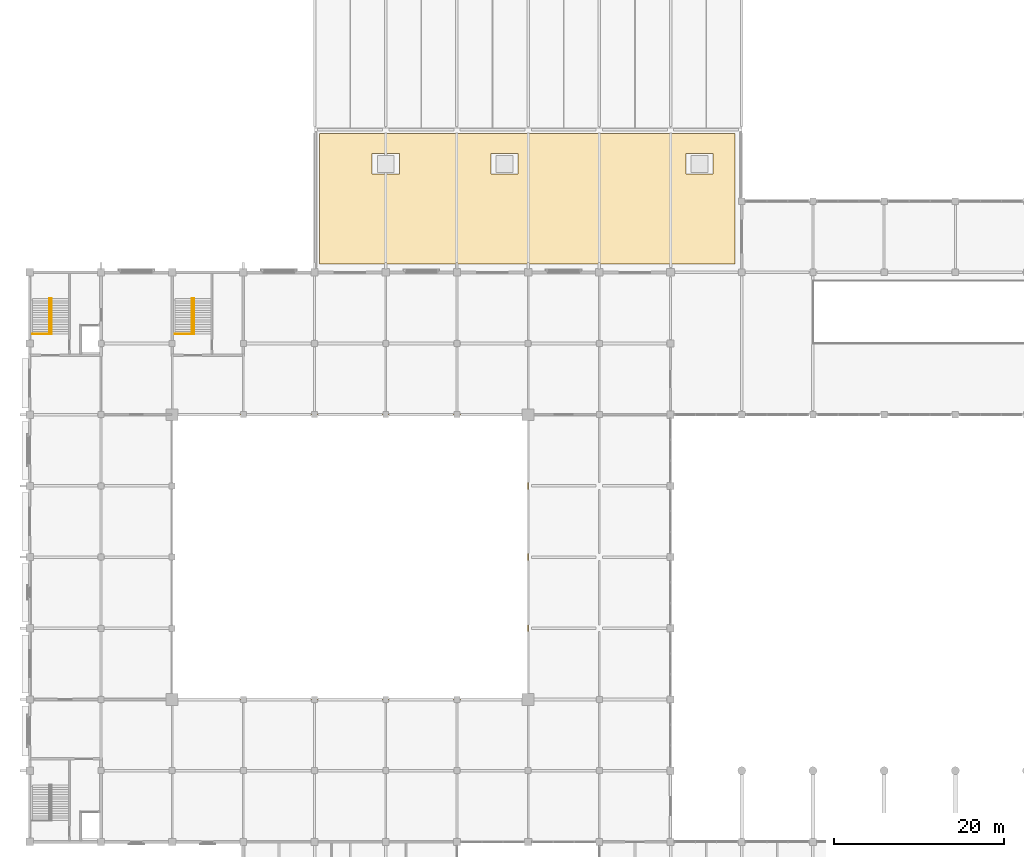
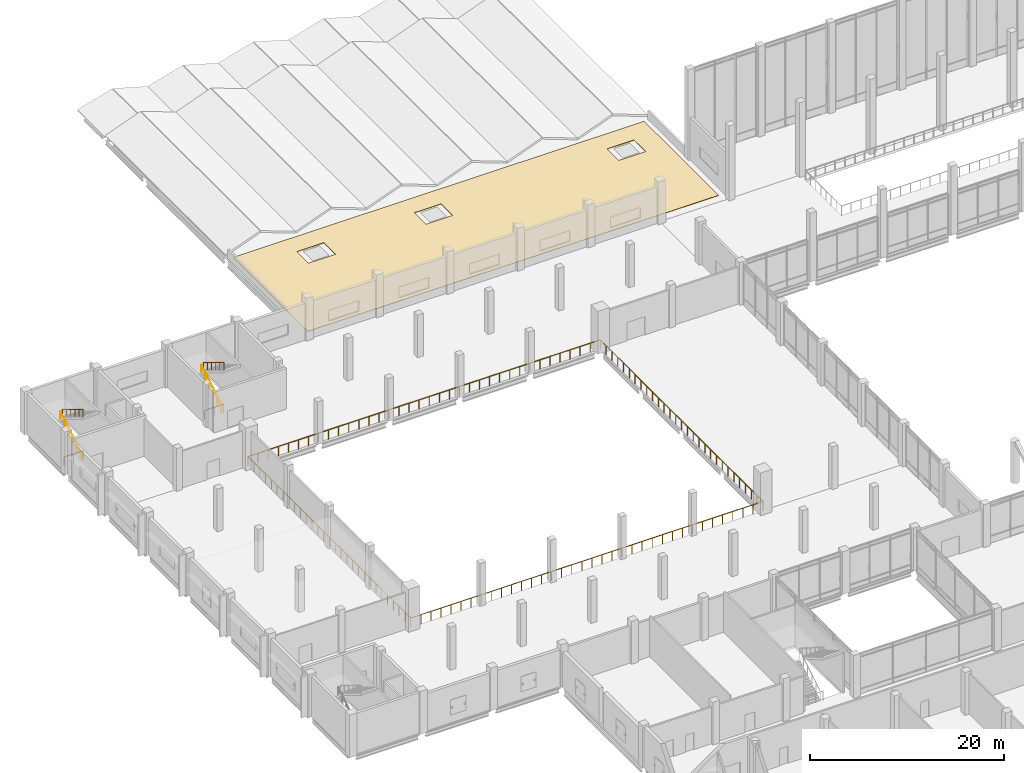
# One storey, part 70 of 72: 7 railings, 1 covering.
"""IFC4 building model written with IfcOpenShell, lengths in metres."""

from ifc_helpers import new_model, si_unit, direction, frame, origin, origin_2d, place, context, subcontext, project, spatial, polyline, circle, outline, extrude, material, layer, layer_set, type_object, element, save


model = new_model("IFC4")

# Units and contexts
model_context = context("Model", 3, precision=1e-05, world=origin(), true_north=direction((0.0, 1.0)))
body_context = subcontext(model_context, "Body", "Model", "MODEL_VIEW")
ifc_project = project(units=[si_unit("LENGTHUNIT", "METRE"), si_unit("AREAUNIT", "SQUARE_METRE"), si_unit("VOLUMEUNIT", "CUBIC_METRE"), si_unit("PLANEANGLEUNIT", "RADIAN"), si_unit("MASSUNIT", "GRAM", prefix="KILO")], contexts=[model_context])

# Site, building, storey
site_placement = place(None, origin())
site = spatial("IfcSite", under=ifc_project, at=site_placement, CompositionType="ELEMENT")
building_placement = place(site_placement, origin())
building = spatial("IfcBuilding", under=site, at=building_placement, Name="Qawsi Khor Wholesale Market", CompositionType="ELEMENT")
storey_placement = place(building_placement, frame((0.0, 0.0, 6.0)))
storey = spatial("IfcBuildingStorey", under=building, at=storey_placement, Name="L01", CompositionType="ELEMENT", Elevation=6.0)

# Covering
ifc_material_1 = material(Name="Polymer-Modified Bitumen Membrane", Category="membrane")
ifc_layer = layer(ifc_material_1, 0.050048828125, Name="Polymer-Modified Bitumen Membrane")
ifc_layer_set = layer_set([ifc_layer], Name="Polymer-Modified Bitumen Membrane")
covering_type = type_object("IfcCoveringType", Name="Elastomeric Cool-Roof Waterproofing Membrane", PredefinedType="ROOFING", material=ifc_layer_set)
covering_placement = place(storey_placement, origin())
element("IfcCovering", 1, at=covering_placement, inside=storey, type_object=covering_type, Name="Roof covering 1", PredefinedType="ROOFING", context=body_context, shape_type="SweptSolid", body=[
    extrude(outline(polyline([(34.199951171875, 125.60009765625), (83.199951171875, 125.60009765625), (83.199951171875, 110.199951171875), (34.199951171875, 110.199951171875), (34.199951171875, 125.60009765625)]), holes=[polyline([(40.39990234375, 120.800048828125), (43.60009765625, 120.800048828125), (43.60009765625, 123.199951171875), (40.39990234375, 123.199951171875), (40.39990234375, 120.800048828125)]), polyline([(54.39990234375, 123.199951171875), (54.39990234375, 120.800048828125), (57.60009765625, 120.800048828125), (57.60009765625, 123.199951171875), (54.39990234375, 123.199951171875)]), polyline([(77.39990234375, 123.199951171875), (77.39990234375, 120.800048828125), (80.60009765625, 120.800048828125), (80.60009765625, 123.199951171875), (77.39990234375, 123.199951171875)])]), origin(), (0.0, 0.0, 1.0), 0.050048828125),
])

# Railings
ifc_material_2 = material(Name="Brushed Stainless Steel 316", Category="steel")
railing_type_1 = type_object("IfcRailingType", Name="Stair & Void Guard Balustrade 1120", PredefinedType="BALUSTRADE", material=ifc_material_2)
railing_1_placement = place(storey_placement, frame((0.300048828125, 101.89990234375, 0.0)))
element("IfcRailing", 2, at=railing_1_placement, inside=storey, type_object=railing_type_1, Name="Stairwell arrival guard ST-08 L01", PredefinedType="BALUSTRADE", context=body_context, shape_type="SweptSolid", body=[
    extrude(circle(Radius=0.02392578125, at=origin_2d()), frame((0.0, 0.0, 1.09619140625), z_axis=(1.0, 0.0, 0.0), x_axis=(0.0, 1.0, 0.0)), (0.0, 0.0, 1.0), 2.280029296875),
    extrude(circle(Radius=0.02099609375, at=origin_2d()), origin(), (0.0, 0.0, 1.0), 1.072021484375),
    extrude(circle(Radius=0.02099609375, at=origin_2d()), frame((1.14013671875, 0.0, 0.0)), (0.0, 0.0, 1.0), 1.072021484375),
    extrude(circle(Radius=0.02099609375, at=origin_2d()), frame((2.280029296875, 0.0, 0.0)), (0.0, 0.0, 1.0), 1.072021484375),
])
railing_2_placement = place(storey_placement, frame((17.10009765625, 101.89990234375, 0.0)))
element("IfcRailing", 3, at=railing_2_placement, inside=storey, type_object=railing_type_1, Name="Stairwell arrival guard ST-09 L01", PredefinedType="BALUSTRADE", context=body_context, shape_type="SweptSolid", body=[
    extrude(circle(Radius=0.02392578125, at=origin_2d()), frame((0.0, 0.0, 1.09619140625), z_axis=(1.0, 0.0, 0.0), x_axis=(0.0, 1.0, 0.0)), (0.0, 0.0, 1.0), 2.27978515625),
    extrude(circle(Radius=0.02099609375, at=origin_2d()), origin(), (0.0, 0.0, 1.0), 1.072021484375),
    extrude(circle(Radius=0.02099609375, at=origin_2d()), frame((1.139892578125, 0.0, 0.0)), (0.0, 0.0, 1.0), 1.072021484375),
    extrude(circle(Radius=0.02099609375, at=origin_2d()), frame((2.27978515625, 0.0, 0.0)), (0.0, 0.0, 1.0), 1.072021484375),
])
railing_type_2 = type_object("IfcRailingType", Name="Stair Pitch Handrail 920", PredefinedType="HANDRAIL", material=ifc_material_2)
railing_3_placement = place(storey_placement, frame((2.340087890625, 101.919921875, 0.168701171875)))
element("IfcRailing", 4, at=railing_3_placement, inside=storey, type_object=railing_type_2, Name="Stair handrail ST-08 L01 F1", PredefinedType="HANDRAIL", context=body_context, shape_type="SweptSolid", body=[
    extrude(circle(Radius=0.02392578125, at=origin_2d()), frame((0.0, 0.0, 0.89599609375), z_axis=(0.0, 0.856489757249, 0.516164020179), x_axis=(-1.0, 0.0, 0.0)), (0.0, 0.0, 1.0), 4.904052734375),
    extrude(circle(Radius=0.02099609375, at=origin_2d()), origin(), (0.0, 0.0, 1.0), 0.871826171875),
    extrude(circle(Radius=0.02099609375, at=origin_2d()), frame((0.0, 0.840087890625, 0.50634765625)), (0.0, 0.0, 1.0), 0.871826171875),
    extrude(circle(Radius=0.02099609375, at=origin_2d()), frame((0.0, 1.68017578125, 1.012451171875)), (0.0, 0.0, 1.0), 0.871826171875),
    extrude(circle(Radius=0.02099609375, at=origin_2d()), frame((0.0, 2.52001953125, 1.518798828125)), (0.0, 0.0, 1.0), 0.871826171875),
    extrude(circle(Radius=0.02099609375, at=origin_2d()), frame((0.0, 3.360107421875, 2.02490234375)), (0.0, 0.0, 1.0), 0.871826171875),
    extrude(circle(Radius=0.02099609375, at=origin_2d()), frame((0.0, 4.2001953125, 2.53125)), (0.0, 0.0, 1.0), 0.871826171875),
])
railing_4_placement = place(storey_placement, frame((2.60009765625, 106.1201171875, 2.86865234375)))
element("IfcRailing", 5, at=railing_4_placement, inside=storey, type_object=railing_type_2, Name="Stair handrail ST-08 L01 F2", PredefinedType="HANDRAIL", context=body_context, shape_type="SweptSolid", body=[
    extrude(circle(Radius=0.02392578125, at=origin_2d()), frame((0.0, 0.0, 0.89599609375), z_axis=(0.0, -0.856489757249, 0.516164020179), x_axis=(1.0, 0.0, 0.0)), (0.0, 0.0, 1.0), 4.904052734375),
    extrude(circle(Radius=0.02099609375, at=origin_2d()), origin(), (0.0, 0.0, 1.0), 0.871826171875),
    extrude(circle(Radius=0.02099609375, at=origin_2d()), frame((0.0, -0.840087890625, 0.50634765625)), (0.0, 0.0, 1.0), 0.871826171875),
    extrude(circle(Radius=0.02099609375, at=origin_2d()), frame((0.0, -1.68017578125, 1.012451171875)), (0.0, 0.0, 1.0), 0.871826171875),
    extrude(circle(Radius=0.02099609375, at=origin_2d()), frame((0.0, -2.52001953125, 1.518798828125)), (0.0, 0.0, 1.0), 0.871826171875),
    extrude(circle(Radius=0.02099609375, at=origin_2d()), frame((0.0, -3.360107421875, 2.02490234375)), (0.0, 0.0, 1.0), 0.871826171875),
    extrude(circle(Radius=0.02099609375, at=origin_2d()), frame((0.0, -4.2001953125, 2.53125)), (0.0, 0.0, 1.0), 0.871826171875),
])
railing_5_placement = place(storey_placement, frame((19.139892578125, 101.919921875, 0.168701171875)))
element("IfcRailing", 6, at=railing_5_placement, inside=storey, type_object=railing_type_2, Name="Stair handrail ST-09 L01 F1", PredefinedType="HANDRAIL", context=body_context, shape_type="SweptSolid", body=[
    extrude(circle(Radius=0.02392578125, at=origin_2d()), frame((0.0, 0.0, 0.89599609375), z_axis=(0.0, 0.856489757249, 0.516164020179), x_axis=(-1.0, 0.0, 0.0)), (0.0, 0.0, 1.0), 4.904052734375),
    extrude(circle(Radius=0.02099609375, at=origin_2d()), origin(), (0.0, 0.0, 1.0), 0.871826171875),
    extrude(circle(Radius=0.02099609375, at=origin_2d()), frame((0.0, 0.840087890625, 0.50634765625)), (0.0, 0.0, 1.0), 0.871826171875),
    extrude(circle(Radius=0.02099609375, at=origin_2d()), frame((0.0, 1.68017578125, 1.012451171875)), (0.0, 0.0, 1.0), 0.871826171875),
    extrude(circle(Radius=0.02099609375, at=origin_2d()), frame((0.0, 2.52001953125, 1.518798828125)), (0.0, 0.0, 1.0), 0.871826171875),
    extrude(circle(Radius=0.02099609375, at=origin_2d()), frame((0.0, 3.360107421875, 2.02490234375)), (0.0, 0.0, 1.0), 0.871826171875),
    extrude(circle(Radius=0.02099609375, at=origin_2d()), frame((0.0, 4.2001953125, 2.53125)), (0.0, 0.0, 1.0), 0.871826171875),
])
railing_6_placement = place(storey_placement, frame((19.39990234375, 106.1201171875, 2.86865234375)))
element("IfcRailing", 7, at=railing_6_placement, inside=storey, type_object=railing_type_2, Name="Stair handrail ST-09 L01 F2", PredefinedType="HANDRAIL", context=body_context, shape_type="SweptSolid", body=[
    extrude(circle(Radius=0.02392578125, at=origin_2d()), frame((0.0, 0.0, 0.89599609375), z_axis=(0.0, -0.856489757249, 0.516164020179), x_axis=(1.0, 0.0, 0.0)), (0.0, 0.0, 1.0), 4.904052734375),
    extrude(circle(Radius=0.02099609375, at=origin_2d()), origin(), (0.0, 0.0, 1.0), 0.871826171875),
    extrude(circle(Radius=0.02099609375, at=origin_2d()), frame((0.0, -0.840087890625, 0.50634765625)), (0.0, 0.0, 1.0), 0.871826171875),
    extrude(circle(Radius=0.02099609375, at=origin_2d()), frame((0.0, -1.68017578125, 1.012451171875)), (0.0, 0.0, 1.0), 0.871826171875),
    extrude(circle(Radius=0.02099609375, at=origin_2d()), frame((0.0, -2.52001953125, 1.518798828125)), (0.0, 0.0, 1.0), 0.871826171875),
    extrude(circle(Radius=0.02099609375, at=origin_2d()), frame((0.0, -3.360107421875, 2.02490234375)), (0.0, 0.0, 1.0), 0.871826171875),
    extrude(circle(Radius=0.02099609375, at=origin_2d()), frame((0.0, -4.2001953125, 2.53125)), (0.0, 0.0, 1.0), 0.871826171875),
])
ifc_material_3 = material(Name="Brushed Stainless Steel 316 & Laminated Glass", Category="steel")
railing_type_3 = type_object("IfcRailingType", Name="Terrace Perimeter Guard Balustrade 1180", PredefinedType="BALUSTRADE", material=ifc_material_3)
railing_7_placement = place(storey_placement, frame((16.800048828125, 58.800048828125, 0.0)))
element("IfcRailing", 8, at=railing_7_placement, inside=storey, type_object=railing_type_3, Name="Guard balustrade GRD-VOID-WH-L01", PredefinedType="BALUSTRADE", context=body_context, shape_type="SweptSolid", body=[
    extrude(circle(Radius=0.02392578125, at=origin_2d()), frame((0.0, 0.0, 1.15576171875), z_axis=(1.0, 0.0, 0.0), x_axis=(0.0, 1.0, 0.0)), (0.0, 0.0, 1.0), 42.0),
    extrude(circle(Radius=0.02392578125, at=origin_2d()), frame((42.0, 0.0, 1.15576171875), z_axis=(0.0, 1.0, 0.0), x_axis=(-1.0, 0.0, 0.0)), (0.0, 0.0, 1.0), 33.599853515625),
    extrude(circle(Radius=0.02392578125, at=origin_2d()), frame((42.0, 33.599853515625, 1.15576171875), z_axis=(-1.0, 0.0, 0.0), x_axis=(0.0, -1.0, 0.0)), (0.0, 0.0, 1.0), 42.0),
    extrude(circle(Radius=0.02392578125, at=origin_2d()), frame((0.0, 33.599853515625, 1.15576171875), z_axis=(0.0, -1.0, 0.0), x_axis=(1.0, 0.0, 0.0)), (0.0, 0.0, 1.0), 33.599853515625),
    extrude(circle(Radius=0.02099609375, at=origin_2d()), origin(), (0.0, 0.0, 1.0), 1.1318359375),
    extrude(circle(Radius=0.02099609375, at=origin_2d()), frame((1.199951171875, 0.0, 0.0)), (0.0, 0.0, 1.0), 1.1318359375),
    extrude(circle(Radius=0.02099609375, at=origin_2d()), frame((2.39990234375, 0.0, 0.0)), (0.0, 0.0, 1.0), 1.1318359375),
    extrude(circle(Radius=0.02099609375, at=origin_2d()), frame((3.60009765625, 0.0, 0.0)), (0.0, 0.0, 1.0), 1.1318359375),
    extrude(circle(Radius=0.02099609375, at=origin_2d()), frame((4.800048828125, 0.0, 0.0)), (0.0, 0.0, 1.0), 1.1318359375),
    extrude(circle(Radius=0.02099609375, at=origin_2d()), frame((6.0, 0.0, 0.0)), (0.0, 0.0, 1.0), 1.1318359375),
    extrude(circle(Radius=0.02099609375, at=origin_2d()), frame((7.199951171875, 0.0, 0.0)), (0.0, 0.0, 1.0), 1.1318359375),
    extrude(circle(Radius=0.02099609375, at=origin_2d()), frame((8.39990234375, 0.0, 0.0)), (0.0, 0.0, 1.0), 1.1318359375),
    extrude(circle(Radius=0.02099609375, at=origin_2d()), frame((9.60009765625, 0.0, 0.0)), (0.0, 0.0, 1.0), 1.1318359375),
    extrude(circle(Radius=0.02099609375, at=origin_2d()), frame((10.800048828125, 0.0, 0.0)), (0.0, 0.0, 1.0), 1.1318359375),
    extrude(circle(Radius=0.02099609375, at=origin_2d()), frame((12.0, 0.0, 0.0)), (0.0, 0.0, 1.0), 1.1318359375),
    extrude(circle(Radius=0.02099609375, at=origin_2d()), frame((13.199951171875, 0.0, 0.0)), (0.0, 0.0, 1.0), 1.1318359375),
    extrude(circle(Radius=0.02099609375, at=origin_2d()), frame((14.39990234375, 0.0, 0.0)), (0.0, 0.0, 1.0), 1.1318359375),
    extrude(circle(Radius=0.02099609375, at=origin_2d()), frame((15.60009765625, 0.0, 0.0)), (0.0, 0.0, 1.0), 1.1318359375),
    extrude(circle(Radius=0.02099609375, at=origin_2d()), frame((16.800048828125, 0.0, 0.0)), (0.0, 0.0, 1.0), 1.1318359375),
    extrude(circle(Radius=0.02099609375, at=origin_2d()), frame((18.0, 0.0, 0.0)), (0.0, 0.0, 1.0), 1.1318359375),
    extrude(circle(Radius=0.02099609375, at=origin_2d()), frame((19.199951171875, 0.0, 0.0)), (0.0, 0.0, 1.0), 1.1318359375),
    extrude(circle(Radius=0.02099609375, at=origin_2d()), frame((20.39990234375, 0.0, 0.0)), (0.0, 0.0, 1.0), 1.1318359375),
    extrude(circle(Radius=0.02099609375, at=origin_2d()), frame((21.60009765625, 0.0, 0.0)), (0.0, 0.0, 1.0), 1.1318359375),
    extrude(circle(Radius=0.02099609375, at=origin_2d()), frame((22.800048828125, 0.0, 0.0)), (0.0, 0.0, 1.0), 1.1318359375),
    extrude(circle(Radius=0.02099609375, at=origin_2d()), frame((24.0, 0.0, 0.0)), (0.0, 0.0, 1.0), 1.1318359375),
    extrude(circle(Radius=0.02099609375, at=origin_2d()), frame((25.199951171875, 0.0, 0.0)), (0.0, 0.0, 1.0), 1.1318359375),
    extrude(circle(Radius=0.02099609375, at=origin_2d()), frame((26.39990234375, 0.0, 0.0)), (0.0, 0.0, 1.0), 1.1318359375),
    extrude(circle(Radius=0.02099609375, at=origin_2d()), frame((27.60009765625, 0.0, 0.0)), (0.0, 0.0, 1.0), 1.1318359375),
    extrude(circle(Radius=0.02099609375, at=origin_2d()), frame((28.800048828125, 0.0, 0.0)), (0.0, 0.0, 1.0), 1.1318359375),
    extrude(circle(Radius=0.02099609375, at=origin_2d()), frame((30.0, 0.0, 0.0)), (0.0, 0.0, 1.0), 1.1318359375),
    extrude(circle(Radius=0.02099609375, at=origin_2d()), frame((31.199951171875, 0.0, 0.0)), (0.0, 0.0, 1.0), 1.1318359375),
    extrude(circle(Radius=0.02099609375, at=origin_2d()), frame((32.39990234375, 0.0, 0.0)), (0.0, 0.0, 1.0), 1.1318359375),
    extrude(circle(Radius=0.02099609375, at=origin_2d()), frame((33.60009765625, 0.0, 0.0)), (0.0, 0.0, 1.0), 1.1318359375),
    extrude(circle(Radius=0.02099609375, at=origin_2d()), frame((34.800048828125, 0.0, 0.0)), (0.0, 0.0, 1.0), 1.1318359375),
    extrude(circle(Radius=0.02099609375, at=origin_2d()), frame((36.0, 0.0, 0.0)), (0.0, 0.0, 1.0), 1.1318359375),
    extrude(circle(Radius=0.02099609375, at=origin_2d()), frame((37.199951171875, 0.0, 0.0)), (0.0, 0.0, 1.0), 1.1318359375),
    extrude(circle(Radius=0.02099609375, at=origin_2d()), frame((38.39990234375, 0.0, 0.0)), (0.0, 0.0, 1.0), 1.1318359375),
    extrude(circle(Radius=0.02099609375, at=origin_2d()), frame((39.60009765625, 0.0, 0.0)), (0.0, 0.0, 1.0), 1.1318359375),
    extrude(circle(Radius=0.02099609375, at=origin_2d()), frame((40.800048828125, 0.0, 0.0)), (0.0, 0.0, 1.0), 1.1318359375),
    extrude(circle(Radius=0.02099609375, at=origin_2d()), frame((42.0, 0.0, 0.0)), (0.0, 0.0, 1.0), 1.1318359375),
    extrude(circle(Radius=0.02099609375, at=origin_2d()), frame((42.0, 1.199951171875, 0.0)), (0.0, 0.0, 1.0), 1.1318359375),
    extrude(circle(Radius=0.02099609375, at=origin_2d()), frame((42.0, 2.39990234375, 0.0)), (0.0, 0.0, 1.0), 1.1318359375),
    extrude(circle(Radius=0.02099609375, at=origin_2d()), frame((42.0, 3.60009765625, 0.0)), (0.0, 0.0, 1.0), 1.1318359375),
    extrude(circle(Radius=0.02099609375, at=origin_2d()), frame((42.0, 4.800048828125, 0.0)), (0.0, 0.0, 1.0), 1.1318359375),
    extrude(circle(Radius=0.02099609375, at=origin_2d()), frame((42.0, 6.0, 0.0)), (0.0, 0.0, 1.0), 1.1318359375),
    extrude(circle(Radius=0.02099609375, at=origin_2d()), frame((42.0, 7.199951171875, 0.0)), (0.0, 0.0, 1.0), 1.1318359375),
    extrude(circle(Radius=0.02099609375, at=origin_2d()), frame((42.0, 8.39990234375, 0.0)), (0.0, 0.0, 1.0), 1.1318359375),
    extrude(circle(Radius=0.02099609375, at=origin_2d()), frame((42.0, 9.599853515625, 0.0)), (0.0, 0.0, 1.0), 1.1318359375),
    extrude(circle(Radius=0.02099609375, at=origin_2d()), frame((42.0, 10.800048828125, 0.0)), (0.0, 0.0, 1.0), 1.1318359375),
    extrude(circle(Radius=0.02099609375, at=origin_2d()), frame((42.0, 12.0, 0.0)), (0.0, 0.0, 1.0), 1.1318359375),
    extrude(circle(Radius=0.02099609375, at=origin_2d()), frame((42.0, 13.199951171875, 0.0)), (0.0, 0.0, 1.0), 1.1318359375),
    extrude(circle(Radius=0.02099609375, at=origin_2d()), frame((42.0, 14.39990234375, 0.0)), (0.0, 0.0, 1.0), 1.1318359375),
    extrude(circle(Radius=0.02099609375, at=origin_2d()), frame((42.0, 15.599853515625, 0.0)), (0.0, 0.0, 1.0), 1.1318359375),
    extrude(circle(Radius=0.02099609375, at=origin_2d()), frame((42.0, 16.7998046875, 0.0)), (0.0, 0.0, 1.0), 1.1318359375),
    extrude(circle(Radius=0.02099609375, at=origin_2d()), frame((42.0, 18.0, 0.0)), (0.0, 0.0, 1.0), 1.1318359375),
    extrude(circle(Radius=0.02099609375, at=origin_2d()), frame((42.0, 19.199951171875, 0.0)), (0.0, 0.0, 1.0), 1.1318359375),
    extrude(circle(Radius=0.02099609375, at=origin_2d()), frame((42.0, 20.39990234375, 0.0)), (0.0, 0.0, 1.0), 1.1318359375),
    extrude(circle(Radius=0.02099609375, at=origin_2d()), frame((42.0, 21.599853515625, 0.0)), (0.0, 0.0, 1.0), 1.1318359375),
    extrude(circle(Radius=0.02099609375, at=origin_2d()), frame((42.0, 22.7998046875, 0.0)), (0.0, 0.0, 1.0), 1.1318359375),
    extrude(circle(Radius=0.02099609375, at=origin_2d()), frame((42.0, 24.0, 0.0)), (0.0, 0.0, 1.0), 1.1318359375),
    extrude(circle(Radius=0.02099609375, at=origin_2d()), frame((42.0, 25.199951171875, 0.0)), (0.0, 0.0, 1.0), 1.1318359375),
    extrude(circle(Radius=0.02099609375, at=origin_2d()), frame((42.0, 26.39990234375, 0.0)), (0.0, 0.0, 1.0), 1.1318359375),
    extrude(circle(Radius=0.02099609375, at=origin_2d()), frame((42.0, 27.599853515625, 0.0)), (0.0, 0.0, 1.0), 1.1318359375),
    extrude(circle(Radius=0.02099609375, at=origin_2d()), frame((42.0, 28.7998046875, 0.0)), (0.0, 0.0, 1.0), 1.1318359375),
    extrude(circle(Radius=0.02099609375, at=origin_2d()), frame((42.0, 29.999755859375, 0.0)), (0.0, 0.0, 1.0), 1.1318359375),
    extrude(circle(Radius=0.02099609375, at=origin_2d()), frame((42.0, 31.199951171875, 0.0)), (0.0, 0.0, 1.0), 1.1318359375),
    extrude(circle(Radius=0.02099609375, at=origin_2d()), frame((42.0, 32.39990234375, 0.0)), (0.0, 0.0, 1.0), 1.1318359375),
    extrude(circle(Radius=0.02099609375, at=origin_2d()), frame((42.0, 33.599853515625, 0.0)), (0.0, 0.0, 1.0), 1.1318359375),
    extrude(circle(Radius=0.02099609375, at=origin_2d()), frame((40.800048828125, 33.599853515625, 0.0)), (0.0, 0.0, 1.0), 1.1318359375),
    extrude(circle(Radius=0.02099609375, at=origin_2d()), frame((39.60009765625, 33.599853515625, 0.0)), (0.0, 0.0, 1.0), 1.1318359375),
    extrude(circle(Radius=0.02099609375, at=origin_2d()), frame((38.39990234375, 33.599853515625, 0.0)), (0.0, 0.0, 1.0), 1.1318359375),
    extrude(circle(Radius=0.02099609375, at=origin_2d()), frame((37.199951171875, 33.599853515625, 0.0)), (0.0, 0.0, 1.0), 1.1318359375),
    extrude(circle(Radius=0.02099609375, at=origin_2d()), frame((36.0, 33.599853515625, 0.0)), (0.0, 0.0, 1.0), 1.1318359375),
    extrude(circle(Radius=0.02099609375, at=origin_2d()), frame((34.800048828125, 33.599853515625, 0.0)), (0.0, 0.0, 1.0), 1.1318359375),
    extrude(circle(Radius=0.02099609375, at=origin_2d()), frame((33.60009765625, 33.599853515625, 0.0)), (0.0, 0.0, 1.0), 1.1318359375),
    extrude(circle(Radius=0.02099609375, at=origin_2d()), frame((32.39990234375, 33.599853515625, 0.0)), (0.0, 0.0, 1.0), 1.1318359375),
    extrude(circle(Radius=0.02099609375, at=origin_2d()), frame((31.199951171875, 33.599853515625, 0.0)), (0.0, 0.0, 1.0), 1.1318359375),
    extrude(circle(Radius=0.02099609375, at=origin_2d()), frame((30.0, 33.599853515625, 0.0)), (0.0, 0.0, 1.0), 1.1318359375),
    extrude(circle(Radius=0.02099609375, at=origin_2d()), frame((28.800048828125, 33.599853515625, 0.0)), (0.0, 0.0, 1.0), 1.1318359375),
    extrude(circle(Radius=0.02099609375, at=origin_2d()), frame((27.60009765625, 33.599853515625, 0.0)), (0.0, 0.0, 1.0), 1.1318359375),
    extrude(circle(Radius=0.02099609375, at=origin_2d()), frame((26.39990234375, 33.599853515625, 0.0)), (0.0, 0.0, 1.0), 1.1318359375),
    extrude(circle(Radius=0.02099609375, at=origin_2d()), frame((25.199951171875, 33.599853515625, 0.0)), (0.0, 0.0, 1.0), 1.1318359375),
    extrude(circle(Radius=0.02099609375, at=origin_2d()), frame((24.0, 33.599853515625, 0.0)), (0.0, 0.0, 1.0), 1.1318359375),
    extrude(circle(Radius=0.02099609375, at=origin_2d()), frame((22.800048828125, 33.599853515625, 0.0)), (0.0, 0.0, 1.0), 1.1318359375),
    extrude(circle(Radius=0.02099609375, at=origin_2d()), frame((21.60009765625, 33.599853515625, 0.0)), (0.0, 0.0, 1.0), 1.1318359375),
    extrude(circle(Radius=0.02099609375, at=origin_2d()), frame((20.39990234375, 33.599853515625, 0.0)), (0.0, 0.0, 1.0), 1.1318359375),
    extrude(circle(Radius=0.02099609375, at=origin_2d()), frame((19.199951171875, 33.599853515625, 0.0)), (0.0, 0.0, 1.0), 1.1318359375),
    extrude(circle(Radius=0.02099609375, at=origin_2d()), frame((18.0, 33.599853515625, 0.0)), (0.0, 0.0, 1.0), 1.1318359375),
    extrude(circle(Radius=0.02099609375, at=origin_2d()), frame((16.800048828125, 33.599853515625, 0.0)), (0.0, 0.0, 1.0), 1.1318359375),
    extrude(circle(Radius=0.02099609375, at=origin_2d()), frame((15.60009765625, 33.599853515625, 0.0)), (0.0, 0.0, 1.0), 1.1318359375),
    extrude(circle(Radius=0.02099609375, at=origin_2d()), frame((14.39990234375, 33.599853515625, 0.0)), (0.0, 0.0, 1.0), 1.1318359375),
    extrude(circle(Radius=0.02099609375, at=origin_2d()), frame((13.199951171875, 33.599853515625, 0.0)), (0.0, 0.0, 1.0), 1.1318359375),
    extrude(circle(Radius=0.02099609375, at=origin_2d()), frame((12.0, 33.599853515625, 0.0)), (0.0, 0.0, 1.0), 1.1318359375),
    extrude(circle(Radius=0.02099609375, at=origin_2d()), frame((10.800048828125, 33.599853515625, 0.0)), (0.0, 0.0, 1.0), 1.1318359375),
    extrude(circle(Radius=0.02099609375, at=origin_2d()), frame((9.60009765625, 33.599853515625, 0.0)), (0.0, 0.0, 1.0), 1.1318359375),
    extrude(circle(Radius=0.02099609375, at=origin_2d()), frame((8.39990234375, 33.599853515625, 0.0)), (0.0, 0.0, 1.0), 1.1318359375),
    extrude(circle(Radius=0.02099609375, at=origin_2d()), frame((7.199951171875, 33.599853515625, 0.0)), (0.0, 0.0, 1.0), 1.1318359375),
    extrude(circle(Radius=0.02099609375, at=origin_2d()), frame((6.0, 33.599853515625, 0.0)), (0.0, 0.0, 1.0), 1.1318359375),
    extrude(circle(Radius=0.02099609375, at=origin_2d()), frame((4.800048828125, 33.599853515625, 0.0)), (0.0, 0.0, 1.0), 1.1318359375),
    extrude(circle(Radius=0.02099609375, at=origin_2d()), frame((3.60009765625, 33.599853515625, 0.0)), (0.0, 0.0, 1.0), 1.1318359375),
    extrude(circle(Radius=0.02099609375, at=origin_2d()), frame((2.39990234375, 33.599853515625, 0.0)), (0.0, 0.0, 1.0), 1.1318359375),
    extrude(circle(Radius=0.02099609375, at=origin_2d()), frame((1.199951171875, 33.599853515625, 0.0)), (0.0, 0.0, 1.0), 1.1318359375),
    extrude(circle(Radius=0.02099609375, at=origin_2d()), frame((0.0, 33.599853515625, 0.0)), (0.0, 0.0, 1.0), 1.1318359375),
    extrude(circle(Radius=0.02099609375, at=origin_2d()), frame((0.0, 32.39990234375, 0.0)), (0.0, 0.0, 1.0), 1.1318359375),
    extrude(circle(Radius=0.02099609375, at=origin_2d()), frame((0.0, 31.199951171875, 0.0)), (0.0, 0.0, 1.0), 1.1318359375),
    extrude(circle(Radius=0.02099609375, at=origin_2d()), frame((0.0, 29.999755859375, 0.0)), (0.0, 0.0, 1.0), 1.1318359375),
    extrude(circle(Radius=0.02099609375, at=origin_2d()), frame((0.0, 28.7998046875, 0.0)), (0.0, 0.0, 1.0), 1.1318359375),
    extrude(circle(Radius=0.02099609375, at=origin_2d()), frame((0.0, 27.599853515625, 0.0)), (0.0, 0.0, 1.0), 1.1318359375),
    extrude(circle(Radius=0.02099609375, at=origin_2d()), frame((0.0, 26.39990234375, 0.0)), (0.0, 0.0, 1.0), 1.1318359375),
    extrude(circle(Radius=0.02099609375, at=origin_2d()), frame((0.0, 25.199951171875, 0.0)), (0.0, 0.0, 1.0), 1.1318359375),
    extrude(circle(Radius=0.02099609375, at=origin_2d()), frame((0.0, 24.0, 0.0)), (0.0, 0.0, 1.0), 1.1318359375),
    extrude(circle(Radius=0.02099609375, at=origin_2d()), frame((0.0, 22.7998046875, 0.0)), (0.0, 0.0, 1.0), 1.1318359375),
    extrude(circle(Radius=0.02099609375, at=origin_2d()), frame((0.0, 21.599853515625, 0.0)), (0.0, 0.0, 1.0), 1.1318359375),
    extrude(circle(Radius=0.02099609375, at=origin_2d()), frame((0.0, 20.39990234375, 0.0)), (0.0, 0.0, 1.0), 1.1318359375),
    extrude(circle(Radius=0.02099609375, at=origin_2d()), frame((0.0, 19.199951171875, 0.0)), (0.0, 0.0, 1.0), 1.1318359375),
    extrude(circle(Radius=0.02099609375, at=origin_2d()), frame((0.0, 18.0, 0.0)), (0.0, 0.0, 1.0), 1.1318359375),
    extrude(circle(Radius=0.02099609375, at=origin_2d()), frame((0.0, 16.7998046875, 0.0)), (0.0, 0.0, 1.0), 1.1318359375),
    extrude(circle(Radius=0.02099609375, at=origin_2d()), frame((0.0, 15.599853515625, 0.0)), (0.0, 0.0, 1.0), 1.1318359375),
    extrude(circle(Radius=0.02099609375, at=origin_2d()), frame((0.0, 14.39990234375, 0.0)), (0.0, 0.0, 1.0), 1.1318359375),
    extrude(circle(Radius=0.02099609375, at=origin_2d()), frame((0.0, 13.199951171875, 0.0)), (0.0, 0.0, 1.0), 1.1318359375),
    extrude(circle(Radius=0.02099609375, at=origin_2d()), frame((0.0, 12.0, 0.0)), (0.0, 0.0, 1.0), 1.1318359375),
    extrude(circle(Radius=0.02099609375, at=origin_2d()), frame((0.0, 10.800048828125, 0.0)), (0.0, 0.0, 1.0), 1.1318359375),
    extrude(circle(Radius=0.02099609375, at=origin_2d()), frame((0.0, 9.599853515625, 0.0)), (0.0, 0.0, 1.0), 1.1318359375),
    extrude(circle(Radius=0.02099609375, at=origin_2d()), frame((0.0, 8.39990234375, 0.0)), (0.0, 0.0, 1.0), 1.1318359375),
    extrude(circle(Radius=0.02099609375, at=origin_2d()), frame((0.0, 7.199951171875, 0.0)), (0.0, 0.0, 1.0), 1.1318359375),
    extrude(circle(Radius=0.02099609375, at=origin_2d()), frame((0.0, 6.0, 0.0)), (0.0, 0.0, 1.0), 1.1318359375),
    extrude(circle(Radius=0.02099609375, at=origin_2d()), frame((0.0, 4.800048828125, 0.0)), (0.0, 0.0, 1.0), 1.1318359375),
    extrude(circle(Radius=0.02099609375, at=origin_2d()), frame((0.0, 3.60009765625, 0.0)), (0.0, 0.0, 1.0), 1.1318359375),
    extrude(circle(Radius=0.02099609375, at=origin_2d()), frame((0.0, 2.39990234375, 0.0)), (0.0, 0.0, 1.0), 1.1318359375),
    extrude(circle(Radius=0.02099609375, at=origin_2d()), frame((0.0, 1.199951171875, 0.0)), (0.0, 0.0, 1.0), 1.1318359375),
])

save(model, "model.ifc")
